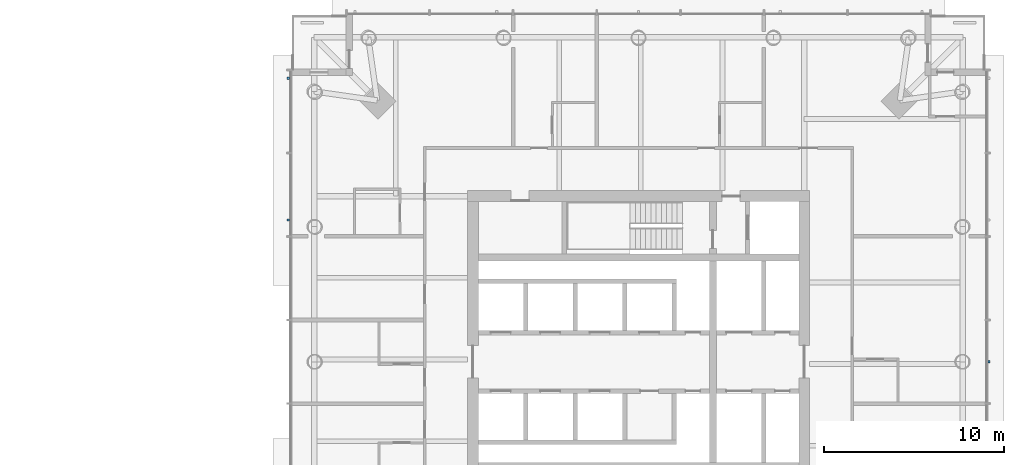
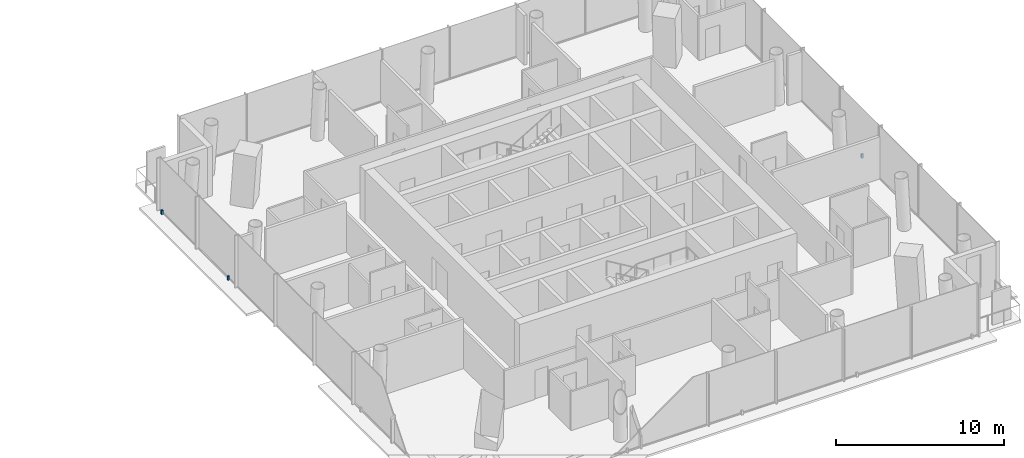
# One storey, part 18 of 21: 3 discrete accessories.
"""IFC4 building model written with IfcOpenShell, lengths in metres."""

from ifc_helpers import new_model, si_unit, direction, frame, origin, origin_2d, place, context, subcontext, project, spatial, rectangle, extrude, material, type_object, element, save


model = new_model("IFC4")

# Units and contexts
model_context = context("Model", 3, precision=1e-05, world=origin(), true_north=direction((0.0, 1.0)))
body_context = subcontext(model_context, "Body", "Model", "MODEL_VIEW")
ifc_project = project(units=[si_unit("LENGTHUNIT", "METRE"), si_unit("AREAUNIT", "SQUARE_METRE"), si_unit("VOLUMEUNIT", "CUBIC_METRE"), si_unit("PLANEANGLEUNIT", "RADIAN"), si_unit("MASSUNIT", "GRAM", prefix="KILO")], contexts=[model_context])

# Site, building, storey
site_placement = place(None, origin())
site = spatial("IfcSite", under=ifc_project, at=site_placement, CompositionType="ELEMENT")
building_placement = place(site_placement, origin())
building = spatial("IfcBuilding", under=site, at=building_placement, Name="Ostroluk Exchange", CompositionType="ELEMENT")
storey_placement = place(building_placement, frame((0.0, 0.0, 43.800048828125)))
storey = spatial("IfcBuildingStorey", under=building, at=storey_placement, Name="L10", CompositionType="ELEMENT", Elevation=43.800048828125)

# Discrete accessories
ifc_material = material(Name="Stainless steel", Category="steel")
discrete_accessory_type = type_object("IfcDiscreteAccessoryType", Name="Fall-arrest anchor PN-EN 795 type C", PredefinedType="USERDEFINED", material=ifc_material)
for number, where, z_axis, x_axis, name in (
    (1, (136.4599609375, 46.0, 0.0), (0.0, 0.0, 1.0), (1.0, 0.0, 0.0), "Fall-arrest anchor L10 east 3"),
    (2, (97.5400390625, 53.875, 0.0), (0.0, 0.0, 1.0), (1.0, 0.0, 0.0), "Fall-arrest anchor L10 west 4"),
    (3, (97.5400390625, 61.75, 0.0), (0.0, 0.0, 1.0), (1.0, 0.0, 0.0), "Fall-arrest anchor L10 west 5"),
):
    element("IfcDiscreteAccessory", number, at=place(storey_placement, frame(where, z_axis=z_axis, x_axis=x_axis)), inside=storey, type_object=discrete_accessory_type, Name=name, ObjectType="FALL ARREST ANCHOR", PredefinedType="USERDEFINED", context=body_context, shape_type="SweptSolid", body=[
        extrude(rectangle(XDim=0.1201171875, YDim=0.1201171875, at=origin_2d()), origin(), (0.0, 0.0, 1.0), 0.300048828125),
    ])

save(model, "model.ifc")
